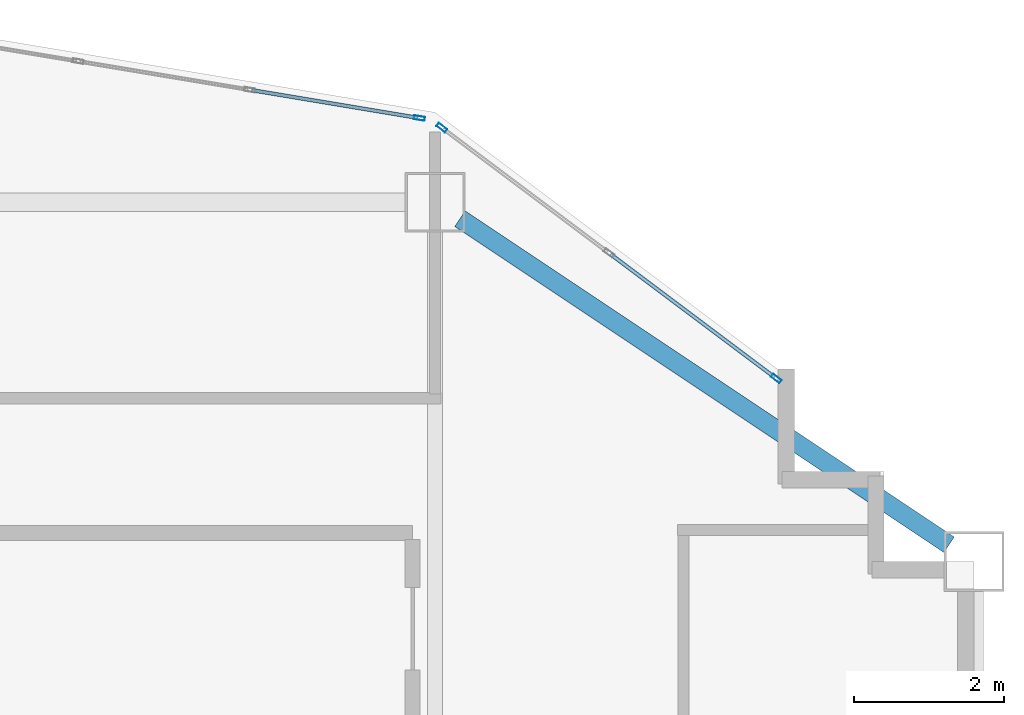
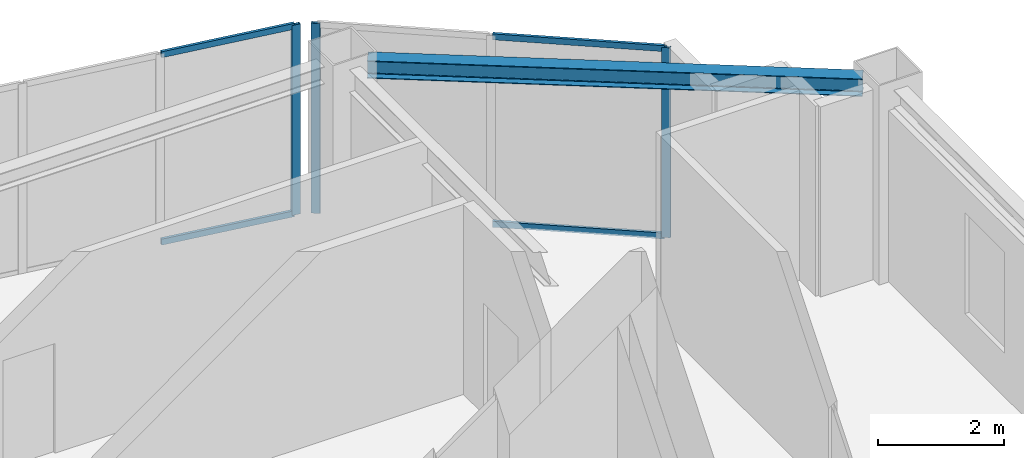
# One storey, part 3 of 10: 7 members, 1 beam, 2 elements without a shape of their own.
"""IFC4 building model written with IfcOpenShell, lengths in metres."""

from ifc_helpers import new_model, si_unit, direction, frame, origin, origin_2d, place, context, subcontext, project, spatial, hollow_rectangle, i_section, extrude, material, layer, layer_set, material_profile, profile_set, type_object, element, aggregate, save


model = new_model("IFC4")

# Units and contexts
model_context = context("Model", 3, precision=1e-05, world=origin(), true_north=direction((0.0, 1.0)))
body_context = subcontext(model_context, "Body", "Model", "MODEL_VIEW")
ifc_project = project(units=[si_unit("LENGTHUNIT", "METRE"), si_unit("AREAUNIT", "SQUARE_METRE"), si_unit("VOLUMEUNIT", "CUBIC_METRE"), si_unit("PLANEANGLEUNIT", "RADIAN"), si_unit("MASSUNIT", "GRAM", prefix="KILO")], contexts=[model_context])

# Site, building, storey
site_placement = place(None, origin())
site = spatial("IfcSite", under=ifc_project, at=site_placement, CompositionType="ELEMENT")
building_placement = place(site_placement, origin())
building = spatial("IfcBuilding", under=site, at=building_placement, Name="Haolan Belvedere Tower", CompositionType="ELEMENT")
storey_placement = place(building_placement, frame((0.0, 0.0, 266.0)))
storey = spatial("IfcBuildingStorey", under=building, at=storey_placement, Name="L67", CompositionType="ELEMENT", Elevation=266.0)

# Beam
ifc_material_1 = material(Name="Steel Q355B", Category="steel")
ifc_material_profile_1 = material_profile(ifc_material_1, i_section(OverallWidth=0.25, OverallDepth=0.340087890625, WebThickness=0.009033203125, FlangeThickness=0.013916015625, FilletRadius=0.02001953125, at=origin_2d()), Name="Steel Q355B")
ifc_profile_set_1 = profile_set([ifc_material_profile_1], Name="Steel Q355B")
beam_type = type_object("IfcBeamType", Name="BM-HM340x250x9x14", PredefinedType="SPANDREL", material=ifc_profile_set_1)
beam_placement = place(storey_placement, frame((45.932861328125, 50.17822265625, 3.5), z_axis=(0.832040729016, -0.55471454394, 0.0), x_axis=(0.55471454394, 0.832040729016, 0.0)))
element("IfcBeam", 1, at=beam_placement, inside=storey, type_object=beam_type, Name="L67 spandrel girder MC-T3-N2-MC-T3-NE", PredefinedType="SPANDREL", context=body_context, shape_type="SweptSolid", body=[
    extrude(i_section(OverallWidth=0.25, OverallDepth=0.340087890625, WebThickness=0.009033203125, FlangeThickness=0.013916015625, FilletRadius=0.02001953125, at=origin_2d()), origin(), (0.0, 0.0, 1.0), 7.853515625),
])

# Curtain wall, members
ifc_material_2 = material(Name="Anodised champagne-silver aluminium 6063-T6 and Low-E glass", Category="aluminium")
ifc_layer = layer(ifc_material_2, 0.14501953125, Name="Anodised champagne-silver aluminium 6063-T6 and Low-E glass")
ifc_layer_set = layer_set([ifc_layer], Name="Anodised champagne-silver aluminium 6063-T6 and Low-E glass")
curtain_wall_type = type_object("IfcCurtainWallType", Name="CW-SYS-05", PredefinedType="NOTDEFINED", material=ifc_layer_set)
curtain_wall_1_placement = place(storey_placement, origin())
curtain_wall_1 = element("IfcCurtainWall", 2, at=curtain_wall_1_placement, inside=storey, type_object=curtain_wall_type, Name="L67 CW-SYS-05 ribbon curtain wall 8.1", PredefinedType="NOTDEFINED")
ifc_material_3 = material(Name="Anodised aluminium 6063-T6", Category="aluminium")
ifc_material_profile_2 = material_profile(ifc_material_3, hollow_rectangle(XDim=0.053955078125, YDim=0.14501953125, WallThickness=0.00390625, at=origin_2d()), Name="Anodised aluminium 6063-T6")
ifc_profile_set_2 = profile_set([ifc_material_profile_2], Name="Anodised aluminium 6063-T6")
member_type_1 = type_object("IfcMemberType", Name="CW-SYS-05-MUL", PredefinedType="MULLION", material=ifc_profile_set_2)
member_1_placement = place(storey_placement, frame((50.156494140625, 48.045166015625, 0.0), z_axis=(0.0, 0.0, 1.0), x_axis=(-0.600002837806, -0.799997871638, 0.0)))
member_1 = element("IfcMember", 3, at=member_1_placement, type_object=member_type_1, Name="CW-05 mullion 1", PredefinedType="MULLION", context=body_context, shape_type="SweptSolid", body=[
    extrude(hollow_rectangle(XDim=0.053955078125, YDim=0.14501953125, WallThickness=0.00390625, at=origin_2d()), origin(), (0.0, 0.0, 1.0), 3.669921875),
])
member_2_placement = place(storey_placement, frame((45.689208984375, 51.395751953125, 0.0), z_axis=(0.0, 0.0, 1.0), x_axis=(-0.600002837806, -0.799997871638, 0.0)))
member_2 = element("IfcMember", 4, at=member_2_placement, type_object=member_type_1, Name="CW-05 mullion 3", PredefinedType="MULLION", context=body_context, shape_type="SweptSolid", body=[
    extrude(hollow_rectangle(XDim=0.053955078125, YDim=0.14501953125, WallThickness=0.00390625, at=origin_2d()), origin(), (0.0, 0.0, 1.0), 3.669921875),
])

# Curtain wall, member
curtain_wall_2_placement = place(storey_placement, origin())
curtain_wall_2 = element("IfcCurtainWall", 5, at=curtain_wall_2_placement, inside=storey, type_object=curtain_wall_type, Name="L67 CW-SYS-05 ribbon curtain wall 9.1", PredefinedType="NOTDEFINED")
member_3_placement = place(storey_placement, frame((45.390869140625, 51.5234375, 0.0), z_axis=(0.0, 0.0, 1.0), x_axis=(-0.164405962825, -0.98639276122, 0.0)))
member_3 = element("IfcMember", 6, at=member_3_placement, type_object=member_type_1, Name="CW-05 mullion 1", PredefinedType="MULLION", context=body_context, shape_type="SweptSolid", body=[
    extrude(hollow_rectangle(XDim=0.053955078125, YDim=0.14501953125, WallThickness=0.00390625, at=origin_2d()), origin(), (0.0, 0.0, 1.0), 3.669921875),
])

# Member
ifc_material_profile_3 = material_profile(ifc_material_3, hollow_rectangle(XDim=0.050048828125, YDim=0.114990234375, WallThickness=0.00390625, at=origin_2d()), Name="Anodised aluminium 6063-T6")
ifc_profile_set_3 = profile_set([ifc_material_profile_3], Name="Anodised aluminium 6063-T6")
member_type_2 = type_object("IfcMemberType", Name="CW-SYS-05-TRN", PredefinedType="USERDEFINED", material=ifc_profile_set_3)
member_4_placement = place(storey_placement, frame((50.134765625, 48.061279296875, 0.02490234375), z_axis=(-0.799957200433, 0.60005706185, 0.0), x_axis=(-0.60005706185, -0.799957200433, 0.0)))
member_4 = element("IfcMember", 7, at=member_4_placement, type_object=member_type_2, Name="CW-05 transom 1.1", ObjectType="TRANSOM", PredefinedType="USERDEFINED", context=body_context, shape_type="SweptSolid", body=[
    extrude(hollow_rectangle(XDim=0.050048828125, YDim=0.114990234375, WallThickness=0.00390625, at=origin_2d()), origin(), (0.0, 0.0, 1.0), 2.73828125),
])

member_5_placement = place(storey_placement, frame((50.134765625, 48.061279296875, 3.64501953125), z_axis=(-0.799957200433, 0.60005706185, 0.0), x_axis=(-0.60005706185, -0.799957200433, 0.0)))
member_5 = element("IfcMember", 8, at=member_5_placement, type_object=member_type_2, Name="CW-05 transom 1.2", ObjectType="TRANSOM", PredefinedType="USERDEFINED", context=body_context, shape_type="SweptSolid", body=[
    extrude(hollow_rectangle(XDim=0.050048828125, YDim=0.114990234375, WallThickness=0.00390625, at=origin_2d()), origin(), (0.0, 0.0, 1.0), 2.73828125),
])

aggregate(curtain_wall_1, [member_1, member_2, member_4, member_5])

member_6_placement = place(storey_placement, frame((45.364013671875, 51.52783203125, 0.02490234375), z_axis=(-0.986390982779, 0.164416632651, 0.0), x_axis=(-0.164416632651, -0.986390982779, 0.0)))
member_6 = element("IfcMember", 9, at=member_6_placement, type_object=member_type_2, Name="CW-05 transom 1.1", ObjectType="TRANSOM", PredefinedType="USERDEFINED", context=body_context, shape_type="SweptSolid", body=[
    extrude(hollow_rectangle(XDim=0.050048828125, YDim=0.114990234375, WallThickness=0.00390625, at=origin_2d()), origin(), (0.0, 0.0, 1.0), 2.24365234375),
])

member_7_placement = place(storey_placement, frame((45.364013671875, 51.52783203125, 3.64501953125), z_axis=(-0.986390982779, 0.164416632651, 0.0), x_axis=(-0.164416632651, -0.986390982779, 0.0)))
member_7 = element("IfcMember", 10, at=member_7_placement, type_object=member_type_2, Name="CW-05 transom 1.2", ObjectType="TRANSOM", PredefinedType="USERDEFINED", context=body_context, shape_type="SweptSolid", body=[
    extrude(hollow_rectangle(XDim=0.050048828125, YDim=0.114990234375, WallThickness=0.00390625, at=origin_2d()), origin(), (0.0, 0.0, 1.0), 2.24365234375),
])

aggregate(curtain_wall_2, [member_3, member_6, member_7])

save(model, "model.ifc")
